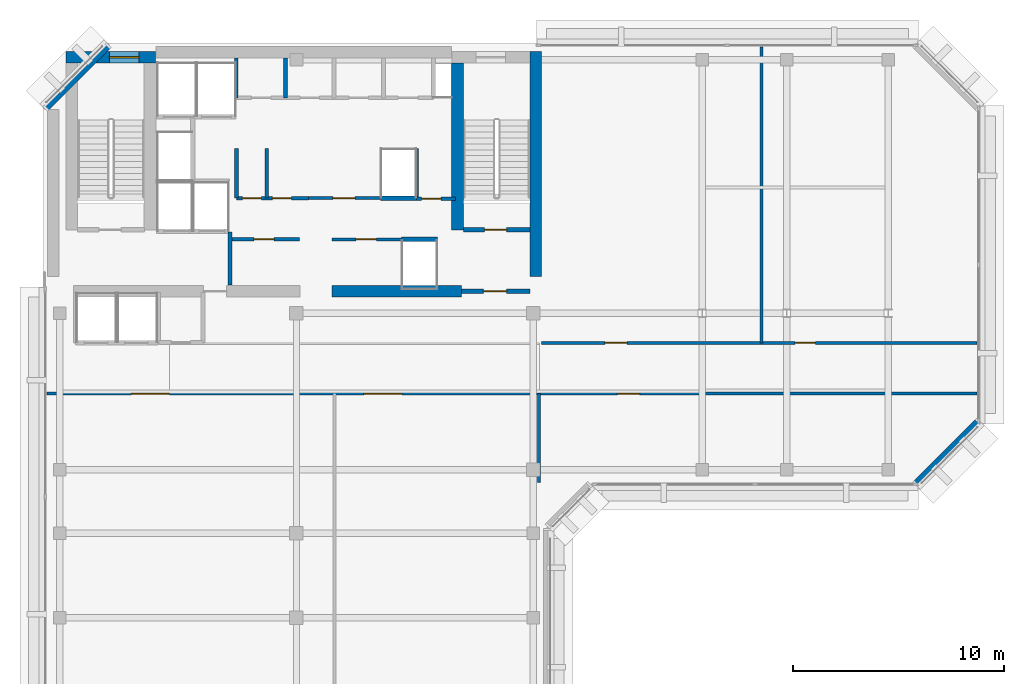
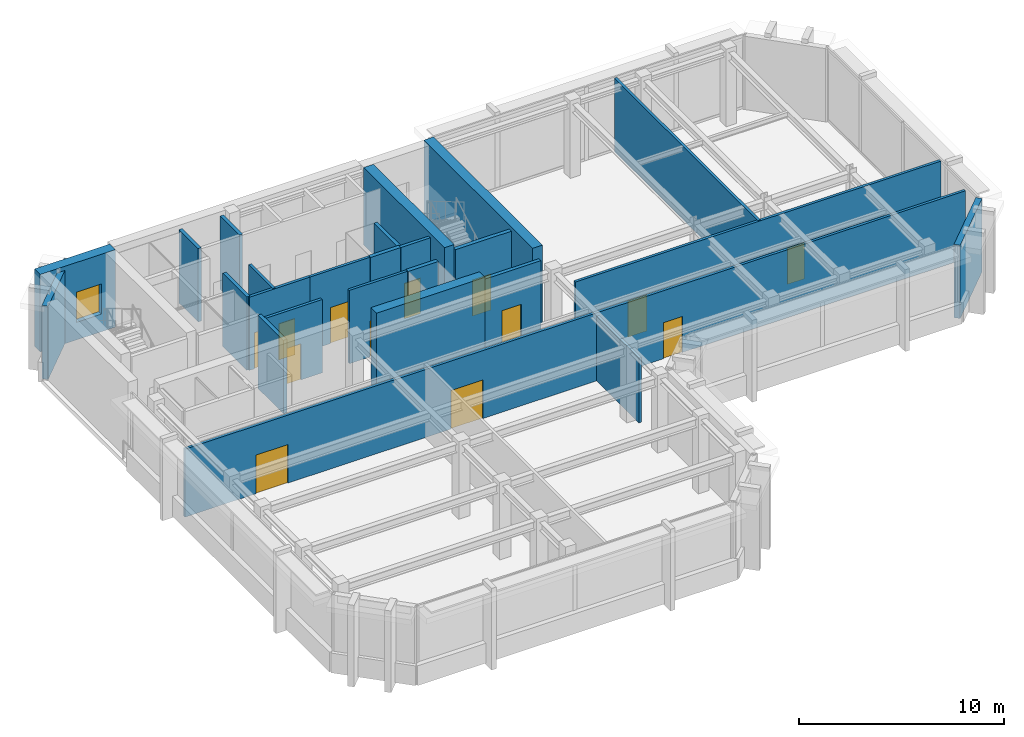
# One storey, part 5 of 9: 25 walls, 13 doors, 1 window, 14 openings.
"""IFC4 building model written with IfcOpenShell, lengths in metres."""

from ifc_helpers import new_model, si_unit, direction, frame, frame_2d, origin, place, context, subcontext, project, spatial, rectangle, extrude, material, layer, layer_set, type_object, element, fill, save


model = new_model("IFC4")

# Units and contexts
model_context = context("Model", 3, precision=1e-05, world=origin(), true_north=direction((0.0, 1.0)))
body_context = subcontext(model_context, "Body", "Model", "MODEL_VIEW")
ifc_project = project(units=[si_unit("LENGTHUNIT", "METRE"), si_unit("AREAUNIT", "SQUARE_METRE"), si_unit("VOLUMEUNIT", "CUBIC_METRE"), si_unit("PLANEANGLEUNIT", "RADIAN"), si_unit("MASSUNIT", "GRAM", prefix="KILO")], contexts=[model_context])

# Site, building, storey
site_placement = place(None, origin())
site = spatial("IfcSite", under=ifc_project, at=site_placement, CompositionType="ELEMENT")
building_placement = place(site_placement, origin())
building = spatial("IfcBuilding", under=site, at=building_placement, Name="Kefirva Bronze Tower", CompositionType="ELEMENT")
storey_placement = place(building_placement, frame((0.0, 0.0, 352.110107421875)))
storey = spatial("IfcBuildingStorey", under=building, at=storey_placement, Name="L86", CompositionType="ELEMENT", Elevation=352.110107421875)

# Wall, opening, door
ifc_material_1 = material(Name="Gypsum acoustic partition")
ifc_layer_1 = layer(ifc_material_1, 0.14990234375, Name="Gypsum acoustic partition")
ifc_layer_set_1 = layer_set([ifc_layer_1], Name="Gypsum acoustic partition")
wall_type_1 = type_object("IfcWallType", Name="Executive Suite Partition 150mm", PredefinedType="PARTITIONING", material=ifc_layer_set_1)
wall_1_placement = place(storey_placement, frame((13.679931640625, 36.699951171875, 0.0), z_axis=(0.0, 0.0, 1.0), x_axis=(1.0, 0.0, 0.0)))
wall_1 = element("IfcWall", 1, at=wall_1_placement, inside=storey, type_object=wall_type_1, Name="L86 Partition W-L86-RECMP1", PredefinedType="PARTITIONING", context=body_context, shape_type="SweptSolid", body=[
    extrude(rectangle(XDim=3.280029296875, YDim=0.14990234375, at=frame_2d((1.64013671875, 0.0))), origin(), (0.0, 0.0, 1.0), 4.369873046875),
])
opening_1_placement = place(wall_1_placement, frame((1.14990234375, 0.0, 0.0)))
opening_1 = element("IfcOpeningElement", 2, at=opening_1_placement, cuts=wall_1, Name="Opening L86-D-RECMP1", PredefinedType="OPENING", context=body_context, shape_type="SweptSolid", body=[
    extrude(rectangle(XDim=0.949951171875, YDim=2.14990234375, at=frame_2d((0.47509765625, 1.074951171875))), frame((0.0, 0.0849609375, 0.0), z_axis=(0.0, -1.0, 0.0), x_axis=(1.0, 0.0, 0.0)), (0.0, 0.0, 1.0), 0.169921875),
])
ifc_material_2 = material(Name="Acoustic hardwood oak", Category="wood")
door_type_1 = type_object("IfcDoorType", Name="Office & Meeting Room Door 950x2150", OperationType="NOTDEFINED", PredefinedType="DOOR", material=ifc_material_2)
door_1_placement = place(opening_1_placement, origin())
door_1 = element("IfcDoor", 3, at=door_1_placement, inside=storey, type_object=door_type_1, Name="Door L86-D-RECMP1", OperationType="SINGLE_SWING_LEFT", OverallHeight=2.14990234375, OverallWidth=0.949951171875, PredefinedType="DOOR", context=body_context, shape_type="SweptSolid", body=[
    extrude(rectangle(XDim=0.949951171875, YDim=2.14990234375, at=frame_2d((0.47509765625, 1.074951171875))), frame((0.0, 0.02490234375, 0.0), z_axis=(0.0, -1.0, 0.0), x_axis=(1.0, 0.0, 0.0)), (0.0, 0.0, 1.0), 0.050048828125),
])
fill(opening_1, door_1)

wall_2_placement = place(storey_placement, frame((12.580078125, 38.64990234375, 0.0), z_axis=(0.0, 0.0, 1.0), x_axis=(1.0, 0.0, 0.0)))
wall_2 = element("IfcWall", 4, at=wall_2_placement, inside=storey, type_object=wall_type_1, Name="L86 Partition W-L86-RECMP2", PredefinedType="PARTITIONING", context=body_context, shape_type="SweptSolid", body=[
    extrude(rectangle(XDim=3.3798828125, YDim=0.14990234375, at=frame_2d((1.68994140625, 0.0))), origin(), (0.0, 0.0, 1.0), 4.369873046875),
])
opening_2_placement = place(wall_2_placement, frame((2.199951171875, 0.0, 0.0), z_axis=(0.0, 0.0, 1.0), x_axis=(-1.0, 0.0, 0.0)))
opening_2 = element("IfcOpeningElement", 5, at=opening_2_placement, cuts=wall_2, Name="Opening L86-D-RECMP2", PredefinedType="OPENING", context=body_context, shape_type="SweptSolid", body=[
    extrude(rectangle(XDim=1.050048828125, YDim=2.14990234375, at=frame_2d((0.52490234375, 1.074951171875))), frame((0.0, 0.0849609375, 0.0), z_axis=(0.0, -1.0, 0.0), x_axis=(1.0, 0.0, 0.0)), (0.0, 0.0, 1.0), 0.169921875),
])
door_type_2 = type_object("IfcDoorType", Name="Executive & Boardroom Door 1050x2150", OperationType="NOTDEFINED", PredefinedType="DOOR", material=ifc_material_2)
door_2_placement = place(opening_2_placement, origin())
door_2 = element("IfcDoor", 6, at=door_2_placement, inside=storey, type_object=door_type_2, Name="Door L86-D-RECMP2", OperationType="SINGLE_SWING_RIGHT", OverallHeight=2.14990234375, OverallWidth=1.050048828125, PredefinedType="DOOR", context=body_context, shape_type="SweptSolid", body=[
    extrude(rectangle(XDim=1.050048828125, YDim=2.14990234375, at=frame_2d((0.52490234375, 1.074951171875))), frame((0.0, 0.02490234375, 0.0), z_axis=(0.0, -1.0, 0.0), x_axis=(1.0, 0.0, 0.0)), (0.0, 0.0, 1.0), 0.050048828125),
])
fill(opening_2, door_2)

# Wall, openings, doors
wall_3_placement = place(storey_placement, frame((0.18994140625, 29.39990234375, 0.0), z_axis=(0.0, 0.0, 1.0), x_axis=(1.0, 0.0, 0.0)))
wall_3 = element("IfcWall", 7, at=wall_3_placement, inside=storey, type_object=wall_type_1, Name="L86 Partition W-L86-LKS", PredefinedType="PARTITIONING", context=body_context, shape_type="SweptSolid", body=[
    extrude(rectangle(XDim=44.02001953125, YDim=0.14990234375, at=frame_2d((22.010009765625, 0.0))), origin(), (0.0, 0.0, 1.0), 4.054931640625),
])
opening_3_placement = place(wall_3_placement, frame((4.0, 0.0, 0.0)))
opening_3 = element("IfcOpeningElement", 8, at=opening_3_placement, cuts=wall_3, Name="Opening L86-D-LK1", PredefinedType="OPENING", context=body_context, shape_type="SweptSolid", body=[
    extrude(rectangle(XDim=1.800048828125, YDim=2.300048828125, at=frame_2d((0.89990234375, 1.14990234375))), frame((0.0, 0.0849609375, 0.0), z_axis=(0.0, -1.0, 0.0), x_axis=(1.0, 0.0, 0.0)), (0.0, 0.0, 1.0), 0.169921875),
])
opening_4_placement = place(wall_3_placement, frame((15.0, 0.0, 0.0)))
opening_4 = element("IfcOpeningElement", 9, at=opening_4_placement, cuts=wall_3, Name="Opening L86-D-LK2", PredefinedType="OPENING", context=body_context, shape_type="SweptSolid", body=[
    extrude(rectangle(XDim=1.800048828125, YDim=2.300048828125, at=frame_2d((0.89990234375, 1.14990234375))), frame((0.0, 0.0849609375, 0.0), z_axis=(0.0, -1.0, 0.0), x_axis=(1.0, 0.0, 0.0)), (0.0, 0.0, 1.0), 0.169921875),
])
opening_5_placement = place(wall_3_placement, frame((27.0, 0.0, 0.0)))
opening_5 = element("IfcOpeningElement", 10, at=opening_5_placement, cuts=wall_3, Name="Opening L86-D-LK3", PredefinedType="OPENING", context=body_context, shape_type="SweptSolid", body=[
    extrude(rectangle(XDim=1.050048828125, YDim=2.14990234375, at=frame_2d((0.52490234375, 1.074951171875))), frame((0.0, 0.0849609375, 0.0), z_axis=(0.0, -1.0, 0.0), x_axis=(1.0, 0.0, 0.0)), (0.0, 0.0, 1.0), 0.169921875),
])
door_type_3 = type_object("IfcDoorType", Name="Auditorium & Dining Double Door 1800x2300", OperationType="DOUBLE_DOOR_SINGLE_SWING", PredefinedType="DOOR", material=ifc_material_2)
door_3_placement = place(opening_3_placement, origin())
door_3 = element("IfcDoor", 11, at=door_3_placement, inside=storey, type_object=door_type_3, Name="Door L86-D-LK1", OperationType="SINGLE_SWING_LEFT", OverallHeight=2.300048828125, OverallWidth=1.800048828125, PredefinedType="DOOR", context=body_context, shape_type="SweptSolid", body=[
    extrude(rectangle(XDim=1.800048828125, YDim=2.300048828125, at=frame_2d((0.89990234375, 1.14990234375))), frame((0.0, 0.02490234375, 0.0), z_axis=(0.0, -1.0, 0.0), x_axis=(1.0, 0.0, 0.0)), (0.0, 0.0, 1.0), 0.050048828125),
])
fill(opening_3, door_3)
door_4_placement = place(opening_4_placement, origin())
door_4 = element("IfcDoor", 12, at=door_4_placement, inside=storey, type_object=door_type_3, Name="Door L86-D-LK2", OperationType="SINGLE_SWING_RIGHT", OverallHeight=2.300048828125, OverallWidth=1.800048828125, PredefinedType="DOOR", context=body_context, shape_type="SweptSolid", body=[
    extrude(rectangle(XDim=1.800048828125, YDim=2.300048828125, at=frame_2d((0.89990234375, 1.14990234375))), frame((0.0, 0.02490234375, 0.0), z_axis=(0.0, -1.0, 0.0), x_axis=(1.0, 0.0, 0.0)), (0.0, 0.0, 1.0), 0.050048828125),
])
fill(opening_4, door_4)
door_5_placement = place(opening_5_placement, origin())
door_5 = element("IfcDoor", 13, at=door_5_placement, inside=storey, type_object=door_type_2, Name="Door L86-D-LK3", OperationType="SINGLE_SWING_LEFT", OverallHeight=2.14990234375, OverallWidth=1.050048828125, PredefinedType="DOOR", context=body_context, shape_type="SweptSolid", body=[
    extrude(rectangle(XDim=1.050048828125, YDim=2.14990234375, at=frame_2d((0.52490234375, 1.074951171875))), frame((0.0, 0.02490234375, 0.0), z_axis=(0.0, -1.0, 0.0), x_axis=(1.0, 0.0, 0.0)), (0.0, 0.0, 1.0), 0.050048828125),
])
fill(opening_5, door_5)

wall_4_placement = place(storey_placement, frame((23.60009765625, 31.800048828125, 0.0), z_axis=(0.0, 0.0, 1.0), x_axis=(1.0, 0.0, 0.0)))
wall_4 = element("IfcWall", 14, at=wall_4_placement, inside=storey, type_object=wall_type_1, Name="L86 Partition W-L86-LKN", PredefinedType="PARTITIONING", context=body_context, shape_type="SweptSolid", body=[
    extrude(rectangle(XDim=20.60986328125, YDim=0.14990234375, at=frame_2d((10.304931640625, 0.0))), origin(), (0.0, 0.0, 1.0), 4.369873046875),
])
opening_6_placement = place(wall_4_placement, frame((3.0, 0.0, 0.0)))
opening_6 = element("IfcOpeningElement", 15, at=opening_6_placement, cuts=wall_4, Name="Opening L86-D-LKN1", PredefinedType="OPENING", context=body_context, shape_type="SweptSolid", body=[
    extrude(rectangle(XDim=1.050048828125, YDim=2.14990234375, at=frame_2d((0.52490234375, 1.074951171875))), frame((0.0, 0.0849609375, 0.0), z_axis=(0.0, -1.0, 0.0), x_axis=(1.0, 0.0, 0.0)), (0.0, 0.0, 1.0), 0.169921875),
])
opening_7_placement = place(wall_4_placement, frame((12.0, 0.0, 0.0)))
opening_7 = element("IfcOpeningElement", 16, at=opening_7_placement, cuts=wall_4, Name="Opening L86-D-LKN2", PredefinedType="OPENING", context=body_context, shape_type="SweptSolid", body=[
    extrude(rectangle(XDim=0.949951171875, YDim=2.14990234375, at=frame_2d((0.47509765625, 1.074951171875))), frame((0.0, 0.0849609375, 0.0), z_axis=(0.0, -1.0, 0.0), x_axis=(1.0, 0.0, 0.0)), (0.0, 0.0, 1.0), 0.169921875),
])
door_6_placement = place(opening_6_placement, origin())
door_6 = element("IfcDoor", 17, at=door_6_placement, inside=storey, type_object=door_type_2, Name="Door L86-D-LKN1", OperationType="SINGLE_SWING_RIGHT", OverallHeight=2.14990234375, OverallWidth=1.050048828125, PredefinedType="DOOR", context=body_context, shape_type="SweptSolid", body=[
    extrude(rectangle(XDim=1.050048828125, YDim=2.14990234375, at=frame_2d((0.52490234375, 1.074951171875))), frame((0.0, 0.02490234375, 0.0), z_axis=(0.0, -1.0, 0.0), x_axis=(1.0, 0.0, 0.0)), (0.0, 0.0, 1.0), 0.050048828125),
])
fill(opening_6, door_6)
door_7_placement = place(opening_7_placement, origin())
door_7 = element("IfcDoor", 18, at=door_7_placement, inside=storey, type_object=door_type_1, Name="Door L86-D-LKN2", OperationType="SINGLE_SWING_LEFT", OverallHeight=2.14990234375, OverallWidth=0.949951171875, PredefinedType="DOOR", context=body_context, shape_type="SweptSolid", body=[
    extrude(rectangle(XDim=0.949951171875, YDim=2.14990234375, at=frame_2d((0.47509765625, 1.074951171875))), frame((0.0, 0.02490234375, 0.0), z_axis=(0.0, -1.0, 0.0), x_axis=(1.0, 0.0, 0.0)), (0.0, 0.0, 1.0), 0.050048828125),
])
fill(opening_7, door_7)

# Walls
wall_5_placement = place(storey_placement, frame((23.47998046875, 25.18994140625, 0.0), z_axis=(0.0, 0.0, 1.0), x_axis=(0.0, 1.0, 0.0)))
element("IfcWall", 19, at=wall_5_placement, inside=storey, type_object=wall_type_1, Name="L86 Partition W-L86-LKD2", PredefinedType="PARTITIONING", context=body_context, shape_type="SweptSolid", body=[
    extrude(rectangle(XDim=4.2099609375, YDim=0.14990234375, at=frame_2d((2.10498046875, 0.0))), origin(), (0.0, 0.0, 1.0), 3.85498046875),
])
wall_6_placement = place(storey_placement, frame((34.0, 31.800048828125, 0.0), z_axis=(0.0, 0.0, 1.0), x_axis=(0.0, 1.0, 0.0)))
element("IfcWall", 20, at=wall_6_placement, inside=storey, type_object=wall_type_1, Name="L86 Partition W-L86-LKND", PredefinedType="PARTITIONING", context=body_context, shape_type="SweptSolid", body=[
    extrude(rectangle(XDim=14.010009765625, YDim=0.14990234375, at=frame_2d((7.0048828125, 0.0))), origin(), (0.0, 0.0, 1.0), 4.369873046875),
])

# Wall, opening, door
ifc_material_3 = material(Name="Gypsum fireboard shaftwall")
ifc_layer_2 = layer(ifc_material_3, 0.219970703125, Name="Gypsum fireboard shaftwall")
ifc_layer_set_2 = layer_set([ifc_layer_2], Name="Gypsum fireboard shaftwall")
wall_type_2 = type_object("IfcWallType", Name="Fire-Rated Shaft Enclosure Wall 220mm", PredefinedType="PARTITIONING", material=ifc_layer_set_2)
wall_7_placement = place(storey_placement, frame((19.89990234375, 37.14990234375, 0.0), z_axis=(0.0, 0.0, 1.0), x_axis=(1.0, 0.0, 0.0)))
wall_7 = element("IfcWall", 21, at=wall_7_placement, inside=storey, type_object=wall_type_2, Name="L86 Partition W-L86-ST2S", PredefinedType="PARTITIONING", context=body_context, shape_type="SweptSolid", body=[
    extrude(rectangle(XDim=3.150146484375, YDim=0.219970703125, at=frame_2d((1.5751953125, 0.0))), origin(), (0.0, 0.0, 1.0), 4.369873046875),
])
opening_8_placement = place(wall_7_placement, frame((2.050048828125, 0.0, 0.0), z_axis=(0.0, 0.0, 1.0), x_axis=(-1.0, 0.0, 0.0)))
opening_8 = element("IfcOpeningElement", 22, at=opening_8_placement, cuts=wall_7, Name="Opening L86-D003", PredefinedType="OPENING", context=body_context, shape_type="SweptSolid", body=[
    extrude(rectangle(XDim=1.050048828125, YDim=2.14990234375, at=frame_2d((0.52490234375, 1.074951171875))), frame((0.0, 0.1201171875, 0.0), z_axis=(0.0, -1.0, 0.0), x_axis=(1.0, 0.0, 0.0)), (0.0, 0.0, 1.0), 0.239990234375),
])
ifc_material_4 = material(Name="Painted galvanized steel", Category="steel")
door_type_4 = type_object("IfcDoorType", Name="Fire Stair Enclosure Door 1050x2150 FD90S", OperationType="NOTDEFINED", PredefinedType="DOOR", material=ifc_material_4)
door_8_placement = place(opening_8_placement, origin())
door_8 = element("IfcDoor", 23, at=door_8_placement, inside=storey, type_object=door_type_4, Name="Door L86-D003", OperationType="SINGLE_SWING_RIGHT", OverallHeight=2.14990234375, OverallWidth=1.050048828125, PredefinedType="DOOR", context=body_context, shape_type="SweptSolid", body=[
    extrude(rectangle(XDim=1.050048828125, YDim=2.14990234375, at=frame_2d((0.52490234375, 1.074951171875))), frame((0.0, 0.02490234375, 0.0), z_axis=(0.0, -1.0, 0.0), x_axis=(1.0, 0.0, 0.0)), (0.0, 0.0, 1.0), 0.050048828125),
])
fill(opening_8, door_8)

# Walls
for number, where, z_axis, x_axis, name in (
    (24, (9.159912109375, 38.64990234375, 0.0), (0.0, 0.0, 1.0), (0.0, 1.0, 0.0), "L86 Partition W-L86-LP3W"),
    (25, (17.679931640625, 38.64990234375, 0.0), (0.0, 0.0, 1.0), (0.0, 1.0, 0.0), "L86 Partition W-L86-HP2E"),
):
    element("IfcWall", number, at=place(storey_placement, frame(where, z_axis=z_axis, x_axis=x_axis)), inside=storey, type_object=wall_type_2, Name=name, PredefinedType="PARTITIONING", context=body_context, shape_type="SweptSolid", body=[
        extrude(rectangle(XDim=2.35009765625, YDim=0.199951171875, at=frame_2d((1.175048828125, 0.0))), origin(), (0.0, 0.0, 1.0), 4.369873046875),
    ])
wall_8_placement = place(storey_placement, frame((16.97998046875, 36.699951171875, 0.0), z_axis=(0.0, 0.0, 1.0), x_axis=(1.0, 0.0, 0.0)))
element("IfcWall", 26, at=wall_8_placement, inside=storey, type_object=wall_type_2, Name="L86 Partition W-L86-HPS", PredefinedType="PARTITIONING", context=body_context, shape_type="SweptSolid", body=[
    extrude(rectangle(XDim=1.699951171875, YDim=0.219970703125, at=frame_2d((0.85009765625, 0.0))), origin(), (0.0, 0.0, 1.0), 4.369873046875),
])
wall_9_placement = place(storey_placement, frame((15.97998046875, 38.64990234375, 0.0), z_axis=(0.0, 0.0, 1.0), x_axis=(1.0, 0.0, 0.0)))
element("IfcWall", 27, at=wall_9_placement, inside=storey, type_object=wall_type_2, Name="L86 Partition W-L86-HPN", PredefinedType="PARTITIONING", context=body_context, shape_type="SweptSolid", body=[
    extrude(rectangle(XDim=1.719970703125, YDim=0.219970703125, at=frame_2d((0.85986328125, 0.0))), origin(), (0.0, 0.0, 1.0), 4.369873046875),
])
ifc_material_5 = material(Name="Gypsum fireboard barrier")
ifc_layer_3 = layer(ifc_material_5, 0.199951171875, Name="Gypsum fireboard barrier")
ifc_layer_set_3 = layer_set([ifc_layer_3], Name="Gypsum fireboard barrier")
wall_type_3 = type_object("IfcWallType", Name="Firefighting Lobby Barrier Wall 200mm", PredefinedType="PARTITIONING", material=ifc_layer_set_3)
wall_10_placement = place(storey_placement, frame((8.860107421875, 34.550048828125, 0.0), z_axis=(0.0, 0.0, 1.0), x_axis=(0.0, 1.0, 0.0)))
element("IfcWall", 28, at=wall_10_placement, inside=storey, type_object=wall_type_3, Name="L86 Partition W-L86-FFLE", PredefinedType="PARTITIONING", context=body_context, shape_type="SweptSolid", body=[
    extrude(rectangle(XDim=2.5, YDim=0.199951171875, at=frame_2d((1.25, 0.0))), origin(), (0.0, 0.0, 1.0), 4.369873046875),
])

# Wall, opening, door
wall_11_placement = place(storey_placement, frame((19.800048828125, 34.25, 0.0), z_axis=(0.0, 0.0, 1.0), x_axis=(1.0, 0.0, 0.0)))
wall_11 = element("IfcWall", 29, at=wall_11_placement, inside=storey, type_object=wall_type_3, Name="L86 Partition W-L86-ST2F", PredefinedType="PARTITIONING", context=body_context, shape_type="SweptSolid", body=[
    extrude(rectangle(XDim=3.25, YDim=0.199951171875, at=frame_2d((1.625, 0.0))), origin(), (0.0, 0.0, 1.0), 4.369873046875),
])
opening_9_placement = place(wall_11_placement, frame((2.150146484375, 0.0, 0.0), z_axis=(0.0, 0.0, 1.0), x_axis=(-1.0, 0.0, 0.0)))
opening_9 = element("IfcOpeningElement", 30, at=opening_9_placement, cuts=wall_11, Name="Opening L86-D004", PredefinedType="OPENING", context=body_context, shape_type="SweptSolid", body=[
    extrude(rectangle(XDim=1.10009765625, YDim=2.14990234375, at=frame_2d((0.550048828125, 1.074951171875))), frame((0.0, 0.10986328125, 0.0), z_axis=(0.0, -1.0, 0.0), x_axis=(1.0, 0.0, 0.0)), (0.0, 0.0, 1.0), 0.219970703125),
])
door_type_5 = type_object("IfcDoorType", Name="Firefighting Lobby Smoke Door 1100x2150 FD60S", OperationType="NOTDEFINED", PredefinedType="DOOR", material=ifc_material_4)
door_9_placement = place(opening_9_placement, origin())
door_9 = element("IfcDoor", 31, at=door_9_placement, inside=storey, type_object=door_type_5, Name="Door L86-D004", OperationType="SINGLE_SWING_LEFT", OverallHeight=2.14990234375, OverallWidth=1.10009765625, PredefinedType="DOOR", context=body_context, shape_type="SweptSolid", body=[
    extrude(rectangle(XDim=1.10009765625, YDim=2.14990234375, at=frame_2d((0.550048828125, 1.074951171875))), frame((0.0, 0.02490234375, 0.0), z_axis=(0.0, -1.0, 0.0), x_axis=(1.0, 0.0, 0.0)), (0.0, 0.0, 1.0), 0.050048828125),
])
fill(opening_9, door_9)

wall_12_placement = place(storey_placement, frame((17.679931640625, 38.6201171875, 0.0), z_axis=(0.0, 0.0, 1.0), x_axis=(1.0, 0.0, 0.0)))
wall_12 = element("IfcWall", 32, at=wall_12_placement, inside=storey, type_object=wall_type_3, Name="L86 Partition W-L86-CPASS", PredefinedType="PARTITIONING", context=body_context, shape_type="SweptSolid", body=[
    extrude(rectangle(XDim=1.840087890625, YDim=0.179931640625, at=frame_2d((0.919921875, 0.0))), origin(), (0.0, 0.0, 1.0), 4.369873046875),
])
opening_10_placement = place(wall_12_placement, frame((0.239990234375, 0.0, 0.0)))
opening_10 = element("IfcOpeningElement", 33, at=opening_10_placement, cuts=wall_12, Name="Opening L86-D-CPAS", PredefinedType="OPENING", context=body_context, shape_type="SweptSolid", body=[
    extrude(rectangle(XDim=0.919921875, YDim=2.10009765625, at=frame_2d((0.4599609375, 1.050048828125))), frame((0.0, 0.10009765625, 0.0), z_axis=(0.0, -1.0, 0.0), x_axis=(1.0, 0.0, 0.0)), (0.0, 0.0, 1.0), 0.199951171875),
])
ifc_material_6 = material(Name="Moisture-resistant timber", Category="wood")
door_type_6 = type_object("IfcDoorType", Name="Accessible Sanitary & WC Door 920x2100", OperationType="NOTDEFINED", PredefinedType="DOOR", material=ifc_material_6)
door_10_placement = place(opening_10_placement, origin())
door_10 = element("IfcDoor", 34, at=door_10_placement, inside=storey, type_object=door_type_6, Name="Door L86-D-CPAS", OperationType="SINGLE_SWING_RIGHT", OverallHeight=2.10009765625, OverallWidth=0.919921875, PredefinedType="DOOR", context=body_context, shape_type="SweptSolid", body=[
    extrude(rectangle(XDim=0.919921875, YDim=2.10009765625, at=frame_2d((0.4599609375, 1.050048828125))), frame((0.0, 0.02490234375, 0.0), z_axis=(0.0, -1.0, 0.0), x_axis=(1.0, 0.0, 0.0)), (0.0, 0.0, 1.0), 0.050048828125),
])
fill(opening_10, door_10)

# Walls
ifc_material_7 = material(Name="Precast concrete C40/50", Category="concrete")
ifc_layer_4 = layer(ifc_material_7, 0.320068359375, Name="Precast concrete C40/50")
ifc_layer_set_4 = layer_set([ifc_layer_4], Name="Precast concrete C40/50")
wall_type_4 = type_object("IfcWallType", Name="Precast Insulated Exterior Wall 320mm", PredefinedType="SOLIDWALL", material=ifc_layer_set_4)
for number, where, z_axis, x_axis, name in (
    (35, (41.32568359375, 25.152099609375, 0.0), (0.0, 0.0, 1.0), (0.707136318428, 0.707077242712, 0.0), "L86 Exterior Facade Wall 4"),
    (36, (3.07421875, 45.847900390625, 0.0), (0.0, 0.0, 1.0), (-0.707106781187, -0.707106781187, 0.0), "L86 Exterior Facade Wall 6"),
):
    element("IfcWall", number, at=place(storey_placement, frame(where, z_axis=z_axis, x_axis=x_axis)), inside=storey, type_object=wall_type_4, Name=name, PredefinedType="SOLIDWALL", context=body_context, shape_type="SweptSolid", body=[
        extrude(rectangle(XDim=4.132568359375, YDim=0.320068359375, at=frame_2d((2.06640625, 0.0))), origin(), (0.0, 0.0, 1.0), 4.369873046875),
    ])

# Wall, opening, door
ifc_layer_5 = layer(ifc_material_1, 0.159912109375, Name="Gypsum acoustic partition")
ifc_layer_set_5 = layer_set([ifc_layer_5], Name="Gypsum acoustic partition")
wall_type_5 = type_object("IfcWallType", Name="Protected Corridor Partition 160mm", PredefinedType="PARTITIONING", material=ifc_layer_set_5)
wall_13_placement = place(storey_placement, frame((8.89990234375, 36.699951171875, 0.0), z_axis=(0.0, 0.0, 1.0), x_axis=(1.0, 0.0, 0.0)))
wall_13 = element("IfcWall", 37, at=wall_13_placement, inside=storey, type_object=wall_type_5, Name="L86 Partition W-L86-RECLP1", PredefinedType="PARTITIONING", context=body_context, shape_type="SweptSolid", body=[
    extrude(rectangle(XDim=3.25, YDim=0.159912109375, at=frame_2d((1.625, 0.0))), origin(), (0.0, 0.0, 1.0), 4.369873046875),
])
opening_11_placement = place(wall_13_placement, frame((1.10009765625, 0.0, 0.0)))
opening_11 = element("IfcOpeningElement", 38, at=opening_11_placement, cuts=wall_13, Name="Opening L86-D-RECLP1", PredefinedType="OPENING", context=body_context, shape_type="SweptSolid", body=[
    extrude(rectangle(XDim=0.949951171875, YDim=2.14990234375, at=frame_2d((0.47509765625, 1.074951171875))), frame((0.0, 0.08984375, 0.0), z_axis=(0.0, -1.0, 0.0), x_axis=(1.0, 0.0, 0.0)), (0.0, 0.0, 1.0), 0.179931640625),
])
door_11_placement = place(opening_11_placement, origin())
door_11 = element("IfcDoor", 39, at=door_11_placement, inside=storey, type_object=door_type_1, Name="Door L86-D-RECLP1", OperationType="SINGLE_SWING_RIGHT", OverallHeight=2.14990234375, OverallWidth=0.949951171875, PredefinedType="DOOR", context=body_context, shape_type="SweptSolid", body=[
    extrude(rectangle(XDim=0.949951171875, YDim=2.14990234375, at=frame_2d((0.47509765625, 1.074951171875))), frame((0.0, 0.02490234375, 0.0), z_axis=(0.0, -1.0, 0.0), x_axis=(1.0, 0.0, 0.0)), (0.0, 0.0, 1.0), 0.050048828125),
])
fill(opening_11, door_11)

# Wall, openings, doors
wall_14_placement = place(storey_placement, frame((9.159912109375, 38.64990234375, 0.0), z_axis=(0.0, 0.0, 1.0), x_axis=(1.0, 0.0, 0.0)))
wall_14 = element("IfcWall", 40, at=wall_14_placement, inside=storey, type_object=wall_type_5, Name="L86 Partition W-L86-RECLP2", PredefinedType="PARTITIONING", context=body_context, shape_type="SweptSolid", body=[
    extrude(rectangle(XDim=3.420166015625, YDim=0.159912109375, at=frame_2d((1.7099609375, 0.0))), origin(), (0.0, 0.0, 1.0), 4.369873046875),
])
opening_12_placement = place(wall_14_placement, frame((1.179931640625, 0.0, 0.0), z_axis=(0.0, 0.0, 1.0), x_axis=(-1.0, 0.0, 0.0)))
opening_12 = element("IfcOpeningElement", 41, at=opening_12_placement, cuts=wall_14, Name="Opening L86-D-RECLP2A", PredefinedType="OPENING", context=body_context, shape_type="SweptSolid", body=[
    extrude(rectangle(XDim=0.89990234375, YDim=2.14990234375, at=frame_2d((0.449951171875, 1.074951171875))), frame((0.0, 0.08984375, 0.0), z_axis=(0.0, -1.0, 0.0), x_axis=(1.0, 0.0, 0.0)), (0.0, 0.0, 1.0), 0.179931640625),
])
opening_13_placement = place(wall_14_placement, frame((2.599853515625, 0.0, 0.0), z_axis=(0.0, 0.0, 1.0), x_axis=(-1.0, 0.0, 0.0)))
opening_13 = element("IfcOpeningElement", 42, at=opening_13_placement, cuts=wall_14, Name="Opening L86-D-RECLP2B", PredefinedType="OPENING", context=body_context, shape_type="SweptSolid", body=[
    extrude(rectangle(XDim=0.89990234375, YDim=2.14990234375, at=frame_2d((0.449951171875, 1.074951171875))), frame((0.0, 0.08984375, 0.0), z_axis=(0.0, -1.0, 0.0), x_axis=(1.0, 0.0, 0.0)), (0.0, 0.0, 1.0), 0.179931640625),
])
door_type_7 = type_object("IfcDoorType", Name="Core Archive & Server Fire Door 900x2150 FD60S", OperationType="NOTDEFINED", PredefinedType="DOOR", material=ifc_material_4)
door_12_placement = place(opening_12_placement, origin())
door_12 = element("IfcDoor", 43, at=door_12_placement, inside=storey, type_object=door_type_7, Name="Door L86-D-RECLP2A", OperationType="SINGLE_SWING_LEFT", OverallHeight=2.14990234375, OverallWidth=0.89990234375, PredefinedType="DOOR", context=body_context, shape_type="SweptSolid", body=[
    extrude(rectangle(XDim=0.89990234375, YDim=2.14990234375, at=frame_2d((0.449951171875, 1.074951171875))), frame((0.0, 0.02490234375, 0.0), z_axis=(0.0, -1.0, 0.0), x_axis=(1.0, 0.0, 0.0)), (0.0, 0.0, 1.0), 0.050048828125),
])
fill(opening_12, door_12)
door_13_placement = place(opening_13_placement, origin())
door_13 = element("IfcDoor", 44, at=door_13_placement, inside=storey, type_object=door_type_7, Name="Door L86-D-RECLP2B", OperationType="SINGLE_SWING_RIGHT", OverallHeight=2.14990234375, OverallWidth=0.89990234375, PredefinedType="DOOR", context=body_context, shape_type="SweptSolid", body=[
    extrude(rectangle(XDim=0.89990234375, YDim=2.14990234375, at=frame_2d((0.449951171875, 1.074951171875))), frame((0.0, 0.02490234375, 0.0), z_axis=(0.0, -1.0, 0.0), x_axis=(1.0, 0.0, 0.0)), (0.0, 0.0, 1.0), 0.050048828125),
])
fill(opening_13, door_13)

# Wall
wall_15_placement = place(storey_placement, frame((10.60009765625, 38.64990234375, 0.0), z_axis=(0.0, 0.0, 1.0), x_axis=(0.0, 1.0, 0.0)))
element("IfcWall", 45, at=wall_15_placement, inside=storey, type_object=wall_type_5, Name="L86 Partition W-L86-RECLP2D", PredefinedType="PARTITIONING", context=body_context, shape_type="SweptSolid", body=[
    extrude(rectangle(XDim=2.35009765625, YDim=0.159912109375, at=frame_2d((1.175048828125, 0.0))), origin(), (0.0, 0.0, 1.0), 4.369873046875),
])

# Wall, opening, window
ifc_material_8 = material(Name="Concrete C50/60", Category="concrete")
ifc_layer_6 = layer(ifc_material_8, 0.550048828125, Name="Concrete C50/60")
ifc_layer_set_6 = layer_set([ifc_layer_6], Name="Concrete C50/60")
wall_type_6 = type_object("IfcWallType", Name="RC Rear Core Exterior Wall 550mm", PredefinedType="SHEAR", material=ifc_layer_set_6)
wall_16_placement = place(storey_placement, frame((1.10009765625, 45.320068359375, 0.0), z_axis=(0.0, 0.0, 1.0), x_axis=(1.0, 0.0, 0.0)))
wall_16 = element("IfcWall", 46, at=wall_16_placement, inside=storey, type_object=wall_type_6, Name="L86 Stair 1 North Shear Wall", PredefinedType="SHEAR", context=body_context, shape_type="SweptSolid", body=[
    extrude(rectangle(XDim=4.239990234375, YDim=0.550048828125, at=frame_2d((2.1201171875, 0.0))), origin(), (0.0, 0.0, 1.0), 4.619873046875),
])
opening_14_placement = place(wall_16_placement, frame((2.050048828125, 0.0, 1.050048828125)))
opening_14 = element("IfcOpeningElement", 47, at=opening_14_placement, cuts=wall_16, Name="Opening WN-03", PredefinedType="OPENING", context=body_context, shape_type="SweptSolid", body=[
    extrude(rectangle(XDim=1.39990234375, YDim=1.800048828125, at=frame_2d((0.699951171875, 0.89990234375))), frame((0.0, 0.28515625, 0.0), z_axis=(0.0, -1.0, 0.0), x_axis=(1.0, 0.0, 0.0)), (0.0, 0.0, 1.0), 0.570068359375),
])
ifc_material_9 = material(Name="Laminated low-E double glazing", Category="glass")
window_type = type_object("IfcWindowType", Name="Rear-Core Stair Daylight Window 1400x1800", PartitioningType="SINGLE_PANEL", PredefinedType="WINDOW", material=ifc_material_9)
window_placement = place(opening_14_placement, origin())
window = element("IfcWindow", 48, at=window_placement, inside=storey, type_object=window_type, Name="L86 Stair 1 Daylight Window", OverallHeight=1.800048828125, OverallWidth=1.39990234375, PartitioningType="SINGLE_PANEL", PredefinedType="WINDOW", context=body_context, shape_type="SweptSolid", body=[
    extrude(rectangle(XDim=1.39990234375, YDim=1.800048828125, at=frame_2d((0.699951171875, 0.89990234375))), frame((0.0, 0.030029296875, 0.0), z_axis=(0.0, -1.0, 0.0), x_axis=(1.0, 0.0, 0.0)), (0.0, 0.0, 1.0), 0.06005859375),
])
fill(opening_14, window)

# Walls
ifc_layer_7 = layer(ifc_material_8, 0.550048828125, Name="Concrete C50/60")
ifc_layer_set_7 = layer_set([ifc_layer_7], Name="Concrete C50/60")
wall_type_7 = type_object("IfcWallType", Name="RC Rear Core Interior Wall 550mm", PredefinedType="SHEAR", material=ifc_layer_set_7)
wall_17_placement = place(storey_placement, frame((23.324951171875, 34.949951171875, 0.0), z_axis=(0.0, 0.0, 1.0), x_axis=(0.0, 1.0, 0.0)))
element("IfcWall", 49, at=wall_17_placement, inside=storey, type_object=wall_type_7, Name="L86 Rear Core East Shear Wall", PredefinedType="SHEAR", context=body_context, shape_type="SweptSolid", body=[
    extrude(rectangle(XDim=10.64013671875, YDim=0.550048828125, at=frame_2d((5.320068359375, 0.0))), origin(), (0.0, 0.0, 1.0), 4.619873046875),
])
wall_18_placement = place(storey_placement, frame((13.679931640625, 34.25, 0.0), z_axis=(0.0, 0.0, 1.0), x_axis=(1.0, 0.0, 0.0)))
element("IfcWall", 50, at=wall_18_placement, inside=storey, type_object=wall_type_7, Name="L86 Rear Core South-East Shear Wall", PredefinedType="SHEAR", context=body_context, shape_type="SweptSolid", body=[
    extrude(rectangle(XDim=6.1201171875, YDim=0.550048828125, at=frame_2d((3.06005859375, 0.0))), origin(), (0.0, 0.0, 1.0), 4.619873046875),
])
wall_19_placement = place(storey_placement, frame((19.6201171875, 37.14990234375, 0.0), z_axis=(0.0, 0.0, 1.0), x_axis=(0.0, 1.0, 0.0)))
element("IfcWall", 51, at=wall_19_placement, inside=storey, type_object=wall_type_7, Name="L86 Stair 2 West Shear Wall", PredefinedType="SHEAR", context=body_context, shape_type="SweptSolid", body=[
    extrude(rectangle(XDim=7.89013671875, YDim=0.550048828125, at=frame_2d((3.945068359375, 0.0))), origin(), (0.0, 0.0, 1.0), 4.619873046875),
])
ifc_material_10 = material(Name="Moisture-resistant partition")
ifc_layer_8 = layer(ifc_material_10, 0.179931640625, Name="Moisture-resistant partition")
ifc_layer_set_8 = layer_set([ifc_layer_8], Name="Moisture-resistant partition")
wall_type_8 = type_object("IfcWallType", Name="Sanitary Plumbing Chase Wall 180mm", PredefinedType="PLUMBINGWALL", material=ifc_layer_set_8)
for number, where, z_axis, x_axis, name in (
    (52, (9.14990234375, 43.39990234375, 0.0), (0.0, 0.0, 1.0), (0.0, 1.0, 0.0), "L86 Partition W-L86-SVCW"),
    (53, (11.47998046875, 43.39990234375, 0.0), (0.0, 0.0, 1.0), (0.0, 1.0, 0.0), "L86 Partition W-L86-CSVD-1"),
):
    element("IfcWall", number, at=place(storey_placement, frame(where, z_axis=z_axis, x_axis=x_axis)), inside=storey, type_object=wall_type_8, Name=name, PredefinedType="PLUMBINGWALL", context=body_context, shape_type="SweptSolid", body=[
        extrude(rectangle(XDim=1.880126953125, YDim=0.179931640625, at=frame_2d((0.93994140625, 0.0))), origin(), (0.0, 0.0, 1.0), 4.369873046875),
    ])

save(model, "model.ifc")
